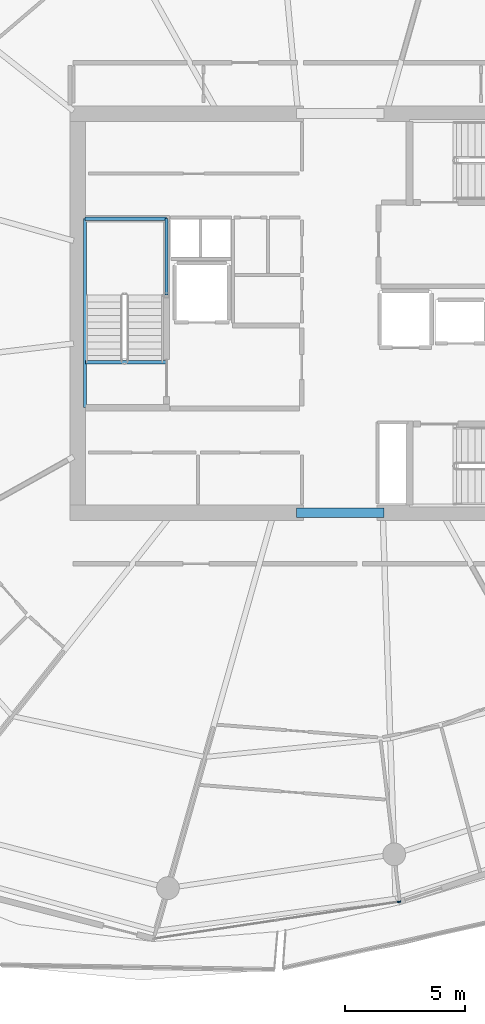
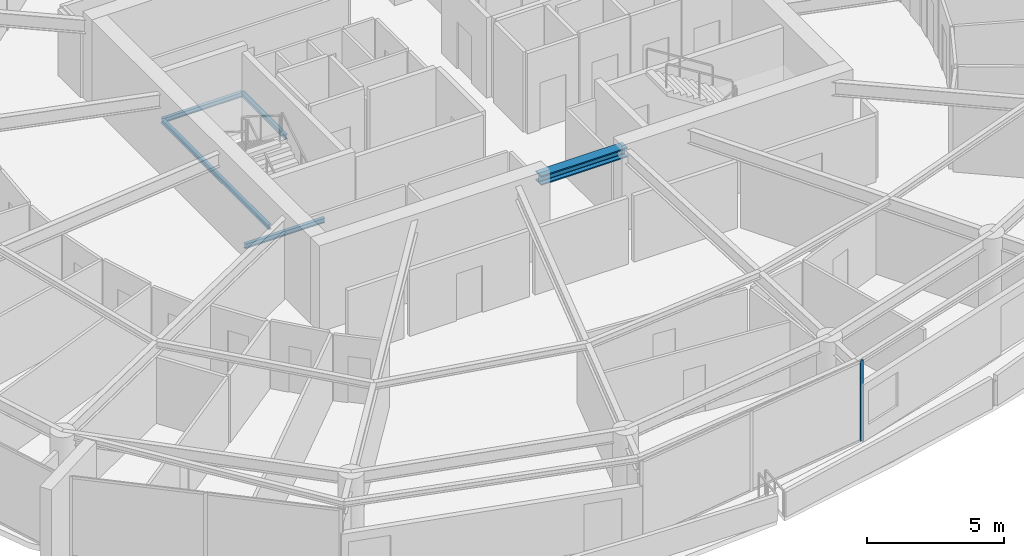
# One storey, part 8 of 29: 5 beams, 1 member, 1 element without a shape of its own.
"""IFC4 building model written with IfcOpenShell, lengths in metres."""

from ifc_helpers import new_model, si_unit, direction, frame, origin, origin_2d, place, context, subcontext, project, spatial, rectangle, i_section, extrude, material, layer, layer_set, material_profile, profile_set, type_object, element, aggregate, save


model = new_model("IFC4")

# Units and contexts
model_context = context("Model", 3, precision=1e-05, world=origin(), true_north=direction((0.0, 1.0)))
body_context = subcontext(model_context, "Body", "Model", "MODEL_VIEW")
ifc_project = project(units=[si_unit("LENGTHUNIT", "METRE"), si_unit("AREAUNIT", "SQUARE_METRE"), si_unit("VOLUMEUNIT", "CUBIC_METRE"), si_unit("PLANEANGLEUNIT", "RADIAN"), si_unit("MASSUNIT", "GRAM", prefix="KILO")], contexts=[model_context])

# Site, building, storey
site_placement = place(None, origin())
site = spatial("IfcSite", under=ifc_project, at=site_placement, CompositionType="ELEMENT")
building_placement = place(site_placement, origin())
building = spatial("IfcBuilding", under=site, at=building_placement, Name="Kazma Halo Residences", CompositionType="ELEMENT")
storey_placement = place(building_placement, frame((0.0, 0.0, 252.10009765625)))
storey = spatial("IfcBuildingStorey", under=building, at=storey_placement, Name="L63", CompositionType="ELEMENT", Elevation=252.10009765625)

# Beams
ifc_material_1 = material(Name="Steel S355", Category="steel")
ifc_material_profile_1 = material_profile(ifc_material_1, i_section(OverallWidth=0.408935546875, OverallDepth=0.425048828125, WebThickness=0.03271484375, FlangeThickness=0.052490234375, FilletRadius=0.02001953125, at=origin_2d()), Name="W360x421")
ifc_profile_set_1 = profile_set([ifc_material_profile_1], Name="Steel S355")
beam_type_1 = type_object("IfcBeamType", Name="BM-CORE-W360H", PredefinedType="BEAM", material=ifc_profile_set_1)
beam_1_placement = place(storey_placement, frame((46.60009765625, 33.675048828125, 3.37744140625), z_axis=(1.0, 0.0, 0.0), x_axis=(0.0, 1.0, 0.0)))
element("IfcBeam", 1, at=beam_1_placement, inside=storey, type_object=beam_type_1, Name="L63 core coupling beam S", PredefinedType="BEAM", context=body_context, shape_type="SweptSolid", body=[
    extrude(i_section(OverallWidth=0.408935546875, OverallDepth=0.425048828125, WebThickness=0.03271484375, FlangeThickness=0.052490234375, FilletRadius=0.02001953125, at=origin_2d()), origin(), (0.0, 0.0, 1.0), 3.64990234375),
])
ifc_material_profile_2 = material_profile(ifc_material_1, i_section(OverallWidth=0.133056640625, OverallDepth=0.20703125, WebThickness=0.005859375, FlangeThickness=0.00830078125, FilletRadius=0.010009765625, at=origin_2d()), Name="W200x26.6")
ifc_profile_set_2 = profile_set([ifc_material_profile_2], Name="Steel S355")
beam_type_2 = type_object("IfcBeamType", Name="BM-TRIM-W200", PredefinedType="BEAM", material=ifc_profile_set_2)
beam_2_placement = place(storey_placement, frame((37.800048828125, 39.949951171875, -0.3701171875), z_axis=(1.0, 0.0, 0.0), x_axis=(0.0, 1.0, 0.0)))
element("IfcBeam", 2, at=beam_2_placement, inside=storey, type_object=beam_type_2, Name="L63 ST-01 floor landing support beam", PredefinedType="BEAM", context=body_context, shape_type="SweptSolid", body=[
    extrude(i_section(OverallWidth=0.133056640625, OverallDepth=0.20703125, WebThickness=0.005859375, FlangeThickness=0.00830078125, FilletRadius=0.010009765625, at=origin_2d()), origin(), (0.0, 0.0, 1.0), 3.3798828125),
])
beam_3_placement = place(storey_placement, frame((37.780029296875, 38.06005859375, 1.619873046875), z_axis=(0.0, 1.0, 0.0), x_axis=(-1.0, 0.0, 0.0)))
element("IfcBeam", 3, at=beam_3_placement, inside=storey, type_object=beam_type_2, Name="L63 ST-01 landing west wall ledger", PredefinedType="BEAM", context=body_context, shape_type="SweptSolid", body=[
    extrude(i_section(OverallWidth=0.133056640625, OverallDepth=0.20703125, WebThickness=0.005859375, FlangeThickness=0.00830078125, FilletRadius=0.010009765625, at=origin_2d()), origin(), (0.0, 0.0, 1.0), 7.8798828125),
])
beam_4_placement = place(storey_placement, frame((41.179931640625, 42.75, 1.619873046875), z_axis=(0.0, 1.0, 0.0), x_axis=(-1.0, 0.0, 0.0)))
element("IfcBeam", 4, at=beam_4_placement, inside=storey, type_object=beam_type_2, Name="L63 ST-01 landing east wall ledger", PredefinedType="BEAM", context=body_context, shape_type="SweptSolid", body=[
    extrude(i_section(OverallWidth=0.133056640625, OverallDepth=0.20703125, WebThickness=0.005859375, FlangeThickness=0.00830078125, FilletRadius=0.010009765625, at=origin_2d()), origin(), (0.0, 0.0, 1.0), 3.18994140625),
])
beam_5_placement = place(storey_placement, frame((37.780029296875, 45.93994140625, 1.619873046875), z_axis=(1.0, 0.0, 0.0), x_axis=(0.0, 1.0, 0.0)))
element("IfcBeam", 5, at=beam_5_placement, inside=storey, type_object=beam_type_2, Name="L63 ST-01 landing end wall ledger", PredefinedType="BEAM", context=body_context, shape_type="SweptSolid", body=[
    extrude(i_section(OverallWidth=0.133056640625, OverallDepth=0.20703125, WebThickness=0.005859375, FlangeThickness=0.00830078125, FilletRadius=0.010009765625, at=origin_2d()), origin(), (0.0, 0.0, 1.0), 3.39990234375),
])

# Curtain wall, member
ifc_material_2 = material(Name="Aluminium AW-6063 T6 and Triple-Silver Low-E Glass", Category="aluminium")
ifc_layer = layer(ifc_material_2, 0.139892578125)
ifc_layer_set = layer_set([ifc_layer], Name="Aluminium AW-6063 T6 and Triple-Silver Low-E Glass")
curtain_wall_type = type_object("IfcCurtainWallType", Name="CW-SYS-5", PredefinedType="NOTDEFINED", material=ifc_layer_set)
curtain_wall_placement = place(storey_placement, origin())
curtain_wall = element("IfcCurtainWall", 6, at=curtain_wall_placement, inside=storey, type_object=curtain_wall_type, Name="L63 unitised curtain wall B11", PredefinedType="NOTDEFINED")
ifc_material_3 = material(Name="Aluminium AW-6063 T6", Category="aluminium")
ifc_material_profile_3 = material_profile(ifc_material_3, rectangle(XDim=0.06005859375, YDim=0.139892578125, at=origin_2d()), Name="CWM-60x140")
ifc_profile_set_3 = profile_set([ifc_material_profile_3], Name="Aluminium AW-6063 T6")
member_type = type_object("IfcMemberType", Name="CW-SYS-5-MUL", PredefinedType="MULLION", material=ifc_profile_set_3)
member_placement = place(storey_placement, frame((50.875732421875, 17.447265625, 0.0), z_axis=(0.0, 0.0, 1.0), x_axis=(-0.148697080374, 0.988882792998, 0.0)))
member = element("IfcMember", 7, at=member_placement, type_object=member_type, Name="CWS-5 mullion 3", PredefinedType="MULLION", context=body_context, shape_type="SweptSolid", body=[
    extrude(rectangle(XDim=0.06005859375, YDim=0.139892578125, at=origin_2d()), origin(), (0.0, 0.0, 1.0), 3.58984375),
])
aggregate(curtain_wall, [member])

save(model, "model.ifc")
